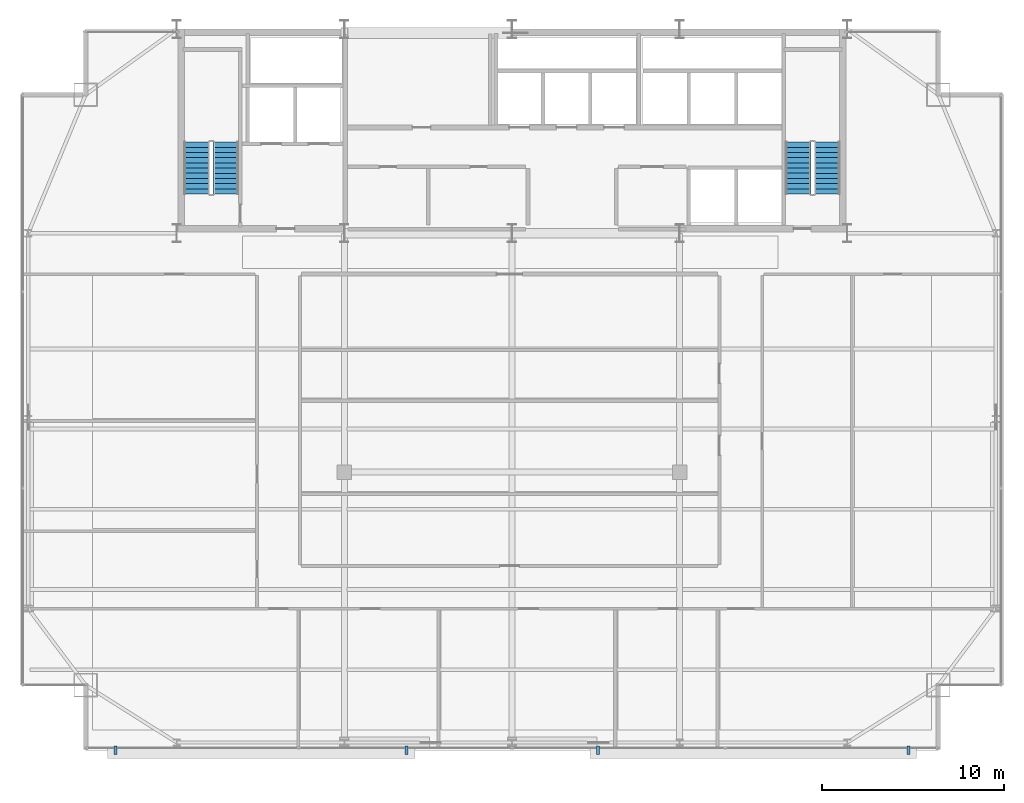
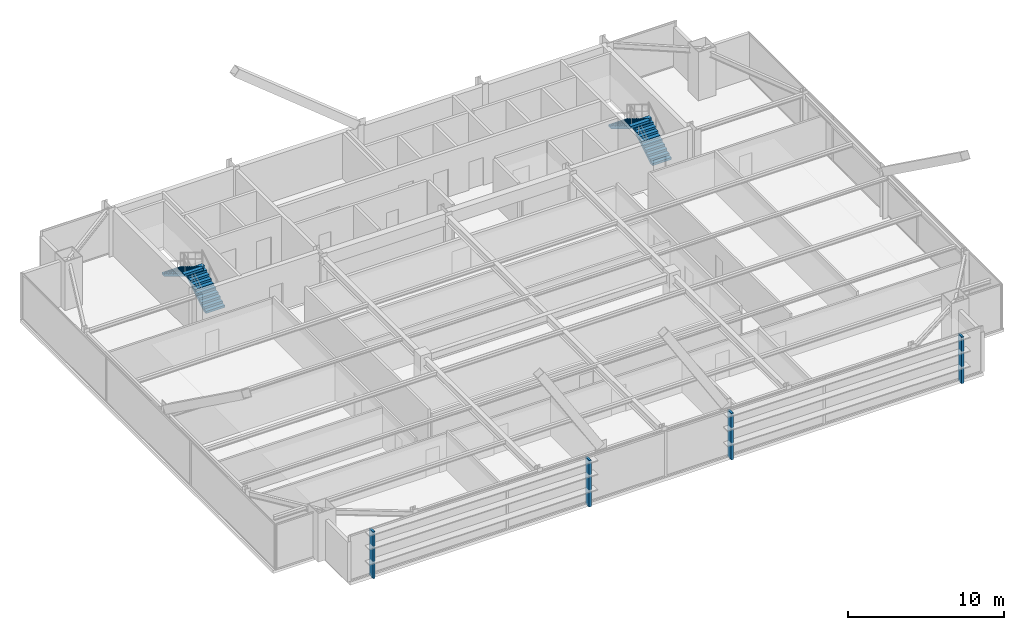
# One storey, part 28 of 30: 4 discrete accessories, 4 stair flights, 2 elements without a shape of their own.
"""IFC4 building model written with IfcOpenShell, lengths in metres."""

import ifcopenshell
import ifcopenshell.guid

model = None  # the IFC model being written
_history = None  # IfcOwnerHistory: only IFC2X3 demands one
_inside = {}  # id of a spatial element -> (the spatial element, [elements in it])
_under = {}  # id of a project, library or spatial element -> (it, [spatial elements below it])
_declared = {}  # id of a project -> (the project, [libraries it declares])
_typed = {}  # id of a type object -> (the type object, [elements of that type])
_made_of = {}  # id of a material, layer set ... -> (it, [elements and type objects made of it])


def new_model(schema):
    """Start an empty IFC model of exactly this schema.

    Asked for "IFC4X3", IfcOpenShell would pick the latest addendum, in which some entities
    have other attributes; the version numbers below select the first issue.
    IFC2X3 requires an IfcOwnerHistory on every rooted entity: one is made here for all.
    """
    global model, _history
    if schema == "IFC4X3":
        model = ifcopenshell.file(schema_version=(4, 3, 0, 0))
    else:
        model = ifcopenshell.file(schema=schema)
    _inside.clear()
    _under.clear()
    _declared.clear()
    _typed.clear()
    _made_of.clear()
    _history = None
    if model.schema == "IFC2X3":
        org = make("IfcOrganization", Name="unknown")
        user = make(
            "IfcPersonAndOrganization",
            ThePerson=make("IfcPerson", FamilyName="unknown"),
            TheOrganization=org,
        )
        app = make(
            "IfcApplication",
            ApplicationDeveloper=org,
            Version="unknown",
            ApplicationFullName="unknown",
            ApplicationIdentifier="unknown",
        )
        _history = make(
            "IfcOwnerHistory",
            OwningUser=user,
            OwningApplication=app,
            ChangeAction="ADDED",
            CreationDate=0,
        )
    return model


def make(cls, **values):
    """One entity of the class cls with the attributes given. An attribute that is None is left unset."""
    return model.create_entity(
        cls, **{name: value for name, value in values.items() if value is not None}
    )


def rooted(cls, **values):
    """An entity with a GlobalId (a new one), such as an element, a storey or a relation."""
    return make(cls, GlobalId=ifcopenshell.guid.new(), OwnerHistory=_history, **values)


def si_unit(unit_type, name, prefix=None):
    """IfcSIUnit, for example si_unit("LENGTHUNIT", "METRE", prefix="MILLI")."""
    return make("IfcSIUnit", UnitType=unit_type, Prefix=prefix, Name=name)


def assignment(units):
    """IfcUnitAssignment: the units of a project."""
    return None if units is None else make("IfcUnitAssignment", Units=units)


def point(xyz):
    """IfcCartesianPoint."""
    return None if xyz is None else make("IfcCartesianPoint", Coordinates=xyz)


def direction(xyz):
    """IfcDirection."""
    return None if xyz is None else make("IfcDirection", DirectionRatios=xyz)


def frame(location, z_axis=None, x_axis=None):
    """IfcAxis2Placement3D, a coordinate frame: its origin and axes. An axis left out is left unset."""
    return make(
        "IfcAxis2Placement3D",
        Location=point(location),
        Axis=direction(z_axis),
        RefDirection=direction(x_axis),
    )


def frame_2d(location, x_axis=None):
    """IfcAxis2Placement2D, a coordinate frame in the plane: its origin and x axis."""
    return make(
        "IfcAxis2Placement2D", Location=point(location), RefDirection=direction(x_axis)
    )


def origin():
    """The frame at (0, 0, 0) with its axes left unset."""
    return frame((0.0, 0.0, 0.0))


def origin_2d():
    """The frame at (0, 0) in the plane with its x axis left unset."""
    return frame_2d((0.0, 0.0))


def place(relative_to, where):
    """IfcLocalPlacement: puts the frame where relative to a parent placement (None: the world)."""
    return make(
        "IfcLocalPlacement", PlacementRelTo=relative_to, RelativePlacement=where
    )


def context(
    kind, dimensions, precision=None, world=None, true_north=None, identifier=None
):
    """IfcGeometricRepresentationContext, for example the 3D "Model" context."""
    return make(
        "IfcGeometricRepresentationContext",
        ContextIdentifier=identifier,
        ContextType=kind,
        CoordinateSpaceDimension=dimensions,
        Precision=precision,
        WorldCoordinateSystem=world,
        TrueNorth=true_north,
    )


def subcontext(parent, identifier, kind, view, scale=None):
    """IfcGeometricRepresentationSubContext, for example "Body" below "Model"."""
    return make(
        "IfcGeometricRepresentationSubContext",
        ContextIdentifier=identifier,
        ContextType=kind,
        ParentContext=parent,
        TargetScale=scale,
        TargetView=view,
    )


def project(units=None, contexts=None):
    """IfcProject with its units and contexts."""
    return rooted(
        "IfcProject",
        Name="project",
        RepresentationContexts=contexts,
        UnitsInContext=assignment(units),
    )


def spatial(cls, under=None, at=None, **own):
    """A site, building, storey or space (cls), placed at a placement, below another one or the project."""
    s = rooted(cls, ObjectPlacement=at, **own)
    if under is not None:
        _under.setdefault(under.id(), (under, []))[1].append(s)
    return s


def polyline(points):
    """IfcPolyline through the points."""
    return make("IfcPolyline", Points=[point(p) for p in points])


def profile(cls, at=None, kind="AREA", **sizes):
    """A parametric profile (cls). Its sizes go by their IFC names, for example OverallWidth=200.0."""
    return make(cls, ProfileType=kind, Position=at, **sizes)


def rectangle(**sizes):
    """IfcRectangleProfileDef."""
    return profile("IfcRectangleProfileDef", **sizes)


def outline(outer, holes=None, kind="AREA"):
    """IfcArbitraryClosedProfileDef: a profile drawn as a closed curve; with holes, ...WithVoids."""
    if holes is None:
        return make("IfcArbitraryClosedProfileDef", ProfileType=kind, OuterCurve=outer)
    return make(
        "IfcArbitraryProfileDefWithVoids",
        ProfileType=kind,
        OuterCurve=outer,
        InnerCurves=holes,
    )


def extrude(swept, where, along, depth):
    """IfcExtrudedAreaSolid: the profile swept, set in the frame where, extruded along a direction by depth."""
    return make(
        "IfcExtrudedAreaSolid",
        SweptArea=swept,
        Position=where,
        ExtrudedDirection=direction(along),
        Depth=depth,
    )


def shape(context_of_items, identifier, shape_type, items):
    """IfcShapeRepresentation: the items that make up one representation, for example the "Body"."""
    return make(
        "IfcShapeRepresentation",
        ContextOfItems=context_of_items,
        RepresentationIdentifier=identifier,
        RepresentationType=shape_type,
        Items=items,
    )


def source(mapping_origin, context_of_items, identifier, shape_type, items):
    """IfcRepresentationMap: a shape defined once, which mapped items show again and again."""
    return make(
        "IfcRepresentationMap",
        MappingOrigin=mapping_origin,
        MappedRepresentation=shape(context_of_items, identifier, shape_type, items),
    )


def transform(
    local_origin,
    x_axis=None,
    y_axis=None,
    z_axis=None,
    scale=None,
    scale2=None,
    scale3=None,
    uniform=True,
):
    """IfcCartesianTransformationOperator3D, or its non-uniform kind. x_axis, y_axis, z_axis: its Axis1, 2, 3."""
    if uniform:
        return make(
            "IfcCartesianTransformationOperator3D",
            Axis1=direction(x_axis),
            Axis2=direction(y_axis),
            LocalOrigin=point(local_origin),
            Scale=scale,
            Axis3=direction(z_axis),
        )
    return make(
        "IfcCartesianTransformationOperator3DnonUniform",
        Axis1=direction(x_axis),
        Axis2=direction(y_axis),
        LocalOrigin=point(local_origin),
        Scale=scale,
        Axis3=direction(z_axis),
        Scale2=scale2,
        Scale3=scale3,
    )


def mapped(mapping_source, mapping_target):
    """IfcMappedItem: shows the shape of a source again, moved by a transform."""
    return make(
        "IfcMappedItem", MappingSource=mapping_source, MappingTarget=mapping_target
    )


def material(Name=None, Category=None):
    """IfcMaterial."""
    return make("IfcMaterial", Name=Name, Category=Category)


def layer(
    of_material, thickness, ventilated=None, Name=None, Category=None, Priority=None
):
    """IfcMaterialLayer: one layer of a wall or slab, of a material (None: an air gap)."""
    return make(
        "IfcMaterialLayer",
        Material=of_material,
        LayerThickness=thickness,
        IsVentilated=ventilated,
        Name=Name,
        Category=Category,
        Priority=Priority,
    )


def layer_set(layers, Name=None):
    """IfcMaterialLayerSet."""
    return make("IfcMaterialLayerSet", MaterialLayers=layers, LayerSetName=Name)


def made_of(thing, what):
    """Note that an element or type object is made of a material, layer set ...; save() writes the relation."""
    if what is not None:
        _made_of.setdefault(what.id(), (what, []))[1].append(thing)
    return thing


def type_object(cls, material=None, **own):
    """A type object (cls), such as IfcWallType, which elements share."""
    return made_of(rooted(cls, **own), material)


def type_shapes(of_type, sources):
    """Give a type object the sources (RepresentationMaps) that its elements show as mapped items."""
    of_type.RepresentationMaps = sources


def element(
    cls,
    number,
    at=None,
    inside=None,
    cuts=None,
    type_object=None,
    material=None,
    context=None,
    identifier="Body",
    shape_type=None,
    held_by="IfcProductDefinitionShape",
    body=None,
    shapes=None,
    **own,
):
    """One element of the class cls, such as IfcWall. Its Tag is "e" and its number.

    at: its placement. inside: the storey or other place that contains it. cuts: it is an
    opening in that element (IfcRelVoidsElement). A single representation is given by context,
    identifier, shape_type and body (its items); several are given by shapes. held_by: the class
    of the entity that holds the representations. save() writes the other relations.
    """
    e = rooted(cls, Tag="e%d" % number, ObjectPlacement=at, **own)
    if body is not None:
        shapes = [shape(context, identifier, shape_type, body)]
    if shapes is not None:
        e.Representation = make(held_by, Representations=shapes)
    if inside is not None:
        _inside.setdefault(inside.id(), (inside, []))[1].append(e)
    if cuts is not None:
        rooted(
            "IfcRelVoidsElement", RelatingBuildingElement=cuts, RelatedOpeningElement=e
        )
    if type_object is not None:
        _typed.setdefault(type_object.id(), (type_object, []))[1].append(e)
    return made_of(e, material)


def aggregate(whole, parts):
    """IfcRelAggregates: a whole, such as a stair, and the parts it consists of."""
    return rooted("IfcRelAggregates", RelatingObject=whole, RelatedObjects=parts)


def save(model, path):
    """Write the relations noted so far, then the file.

    IfcRelAggregates (storeys below a building ...), IfcRelContainedInSpatialStructure (elements
    in a storey), IfcRelDefinesByType, IfcRelAssociatesMaterial and IfcRelDeclares: one each for
    every whole, place, type object, material and project.
    """
    for whole, parts in _under.values():
        aggregate(whole, parts)
    for where, things in _inside.values():
        rooted(
            "IfcRelContainedInSpatialStructure",
            RelatedElements=things,
            RelatingStructure=where,
        )
    for kind, things in _typed.values():
        rooted("IfcRelDefinesByType", RelatedObjects=things, RelatingType=kind)
    for what, things in _made_of.values():
        rooted("IfcRelAssociatesMaterial", RelatedObjects=things, RelatingMaterial=what)
    for by, libraries in _declared.values():
        rooted("IfcRelDeclares", RelatingContext=by, RelatedDefinitions=libraries)
    model.write(path)


model = new_model("IFC4")

# Units and contexts
model_context = context("Model", 3, precision=1e-05, world=origin(), true_north=direction((0.0, 1.0)))
body_context = subcontext(model_context, "Body", "Model", "MODEL_VIEW")
ifc_project = project(units=[si_unit("LENGTHUNIT", "METRE"), si_unit("AREAUNIT", "SQUARE_METRE"), si_unit("VOLUMEUNIT", "CUBIC_METRE"), si_unit("PLANEANGLEUNIT", "RADIAN"), si_unit("MASSUNIT", "GRAM", prefix="KILO")], contexts=[model_context])

# Site, building, storey
site_placement = place(None, origin())
site = spatial("IfcSite", under=ifc_project, at=site_placement, CompositionType="ELEMENT")
building_placement = place(site_placement, origin())
building = spatial("IfcBuilding", under=site, at=building_placement, Name="Varnel Quay Broadcast Tower", CompositionType="ELEMENT")
storey_placement = place(building_placement, frame((0.0, 0.0, 180.0)))
storey = spatial("IfcBuildingStorey", under=building, at=storey_placement, Name="L44", CompositionType="ELEMENT", Elevation=180.0)

# Stair, stair flights
ifc_material_1 = material(Name="Precast Structural Concrete C40/50", Category="concrete")
stair_type_1 = type_object("IfcStairType", Name="Stair_ST-01", PredefinedType="HALF_TURN_STAIR", material=ifc_material_1)
stair_1_placement = place(storey_placement, origin())
stair_1 = element("IfcStair", 1, at=stair_1_placement, inside=storey, type_object=stair_type_1, Name="L44 West Core Exit Stair 1", PredefinedType="HALF_TURN_STAIR")
stair_flight_type_1 = type_object("IfcStairFlightType", Name="Flight_ST-01", PredefinedType="STRAIGHT", material=ifc_material_1)
stair_flight_1_placement = place(storey_placement, frame((18.300048828125, 37.75, 0.0), z_axis=(0.0, 0.0, 1.0), x_axis=(0.0, 1.0, 0.0)))
stair_flight_1 = element("IfcStairFlight", 2, at=stair_flight_1_placement, type_object=stair_flight_type_1, Name="ST-01 flight 1", NumberOfRisers=11, NumberOfTreads=10, PredefinedType="STRAIGHT", RiserHeight=0.172727273, TreadLength=0.285, context=body_context, shape_type="SweptSolid", body=[
    extrude(outline(polyline([(0.0, 0.0), (0.0, 0.172607421875), (0.284912109375, 0.172607421875), (0.284912109375, 0.345458984375), (0.570068359375, 0.345458984375), (0.570068359375, 0.51806640625), (0.85498046875, 0.51806640625), (0.85498046875, 0.69091796875), (1.139892578125, 0.69091796875), (1.139892578125, 0.863525390625), (1.425048828125, 0.863525390625), (1.425048828125, 1.036376953125), (1.7099609375, 1.036376953125), (1.7099609375, 1.208984375), (1.9951171875, 1.208984375), (1.9951171875, 1.3818359375), (2.280029296875, 1.3818359375), (2.280029296875, 1.554443359375), (2.56494140625, 1.554443359375), (2.56494140625, 1.727294921875), (2.85009765625, 1.727294921875), (2.85009765625, 1.89990234375), (2.85009765625, 1.552001953125), (0.289306640625, 0.0), (0.0, 0.0)])), frame((0.0, 0.699951171875, 0.0), z_axis=(0.0, -1.0, 0.0), x_axis=(1.0, 0.0, 0.0)), (0.0, 0.0, 1.0), 1.39990234375),
])
stair_flight_2_placement = place(storey_placement, frame((16.699951171875, 40.60009765625, 1.89990234375), z_axis=(0.0, 0.0, 1.0), x_axis=(0.0, -1.0, 0.0)))
stair_flight_2 = element("IfcStairFlight", 3, at=stair_flight_2_placement, type_object=stair_flight_type_1, Name="ST-01 flight 2", NumberOfRisers=11, NumberOfTreads=10, PredefinedType="STRAIGHT", RiserHeight=0.172727273, TreadLength=0.285, context=body_context, shape_type="SweptSolid", body=[
    extrude(outline(polyline([(0.0, 0.0), (0.0, 0.172607421875), (0.284912109375, 0.172607421875), (0.284912109375, 0.345458984375), (0.570068359375, 0.345458984375), (0.570068359375, 0.51806640625), (0.85498046875, 0.51806640625), (0.85498046875, 0.69091796875), (1.139892578125, 0.69091796875), (1.139892578125, 0.863525390625), (1.425048828125, 0.863525390625), (1.425048828125, 1.036376953125), (1.7099609375, 1.036376953125), (1.7099609375, 1.208984375), (1.9951171875, 1.208984375), (1.9951171875, 1.3818359375), (2.280029296875, 1.3818359375), (2.280029296875, 1.554443359375), (2.56494140625, 1.554443359375), (2.56494140625, 1.727294921875), (2.85009765625, 1.727294921875), (2.85009765625, 1.89990234375), (2.85009765625, 1.552001953125), (0.289306640625, 0.0), (0.0, 0.0)])), frame((0.0, 0.699951171875, 0.0), z_axis=(0.0, -1.0, 0.0), x_axis=(1.0, 0.0, 0.0)), (0.0, 0.0, 1.0), 1.39990234375),
])
aggregate(stair_1, [stair_flight_1, stair_flight_2])

stair_type_2 = type_object("IfcStairType", Name="Stair_ST-02", PredefinedType="HALF_TURN_STAIR", material=ifc_material_1)
stair_2_placement = place(storey_placement, origin())
stair_2 = element("IfcStair", 4, at=stair_2_placement, inside=storey, type_object=stair_type_2, Name="L44 East Core Exit Stair 2", PredefinedType="HALF_TURN_STAIR")
stair_flight_type_2 = type_object("IfcStairFlightType", Name="Flight_ST-02", PredefinedType="STRAIGHT", material=ifc_material_1)
stair_flight_3_placement = place(storey_placement, frame((51.300048828125, 37.75, 0.0), z_axis=(0.0, 0.0, 1.0), x_axis=(0.0, 1.0, 0.0)))
stair_flight_3 = element("IfcStairFlight", 5, at=stair_flight_3_placement, type_object=stair_flight_type_2, Name="ST-02 flight 1", NumberOfRisers=11, NumberOfTreads=10, PredefinedType="STRAIGHT", RiserHeight=0.172727273, TreadLength=0.285, context=body_context, shape_type="SweptSolid", body=[
    extrude(outline(polyline([(0.0, 0.0), (0.0, 0.172607421875), (0.284912109375, 0.172607421875), (0.284912109375, 0.345458984375), (0.570068359375, 0.345458984375), (0.570068359375, 0.51806640625), (0.85498046875, 0.51806640625), (0.85498046875, 0.69091796875), (1.139892578125, 0.69091796875), (1.139892578125, 0.863525390625), (1.425048828125, 0.863525390625), (1.425048828125, 1.036376953125), (1.7099609375, 1.036376953125), (1.7099609375, 1.208984375), (1.9951171875, 1.208984375), (1.9951171875, 1.3818359375), (2.280029296875, 1.3818359375), (2.280029296875, 1.554443359375), (2.56494140625, 1.554443359375), (2.56494140625, 1.727294921875), (2.85009765625, 1.727294921875), (2.85009765625, 1.89990234375), (2.85009765625, 1.552001953125), (0.289306640625, 0.0), (0.0, 0.0)])), frame((0.0, 0.699951171875, 0.0), z_axis=(0.0, -1.0, 0.0), x_axis=(1.0, 0.0, 0.0)), (0.0, 0.0, 1.0), 1.39990234375),
])
stair_flight_4_placement = place(storey_placement, frame((49.699951171875, 40.60009765625, 1.89990234375), z_axis=(0.0, 0.0, 1.0), x_axis=(0.0, -1.0, 0.0)))
stair_flight_4 = element("IfcStairFlight", 6, at=stair_flight_4_placement, type_object=stair_flight_type_2, Name="ST-02 flight 2", NumberOfRisers=11, NumberOfTreads=10, PredefinedType="STRAIGHT", RiserHeight=0.172727273, TreadLength=0.285, context=body_context, shape_type="SweptSolid", body=[
    extrude(outline(polyline([(0.0, 0.0), (0.0, 0.172607421875), (0.284912109375, 0.172607421875), (0.284912109375, 0.345458984375), (0.570068359375, 0.345458984375), (0.570068359375, 0.51806640625), (0.85498046875, 0.51806640625), (0.85498046875, 0.69091796875), (1.139892578125, 0.69091796875), (1.139892578125, 0.863525390625), (1.425048828125, 0.863525390625), (1.425048828125, 1.036376953125), (1.7099609375, 1.036376953125), (1.7099609375, 1.208984375), (1.9951171875, 1.208984375), (1.9951171875, 1.3818359375), (2.280029296875, 1.3818359375), (2.280029296875, 1.554443359375), (2.56494140625, 1.554443359375), (2.56494140625, 1.727294921875), (2.85009765625, 1.727294921875), (2.85009765625, 1.89990234375), (2.85009765625, 1.552001953125), (0.289306640625, 0.0), (0.0, 0.0)])), frame((0.0, 0.699951171875, 0.0), z_axis=(0.0, -1.0, 0.0), x_axis=(1.0, 0.0, 0.0)), (0.0, 0.0, 1.0), 1.39990234375),
])
aggregate(stair_2, [stair_flight_3, stair_flight_4])

# Discrete accessories
ifc_material_2 = material(Name="Anodised Bronze Aluminium 6063-T6", Category="aluminium")
ifc_layer = layer(ifc_material_2, 0.47998046875, Name="Anodised Bronze Aluminium 6063-T6")
ifc_layer_set = layer_set([ifc_layer], Name="Anodised Bronze Aluminium 6063-T6")
discrete_accessory_type = type_object("IfcDiscreteAccessoryType", Name="Acc_FacadeBracket", PredefinedType="BRACKET", material=ifc_layer_set)
shared_shape = source(origin(), body_context, "Body", "SweptSolid", [
    extrude(rectangle(XDim=0.159912109375, YDim=0.47998046875, at=origin_2d()), origin(), (0.0, 0.0, 1.0), 3.64990234375),
])
type_shapes(discrete_accessory_type, [shared_shape])
for number, where, z_axis, x_axis, name in (
    (7, (12.25, 7.219970703125, -0.14990234375), (0.0, 0.0, 1.0), (1.0, 0.0, 0.0), "L44 Lobe 1 Louvre Support Bracket 1"),
    (8, (28.220947265625, 7.219970703125, -0.14990234375), (0.0, 0.0, 1.0), (1.0, 0.0, 0.0), "L44 Lobe 1 Louvre Support Bracket 2"),
    (9, (38.720947265625, 7.219970703125, -0.14990234375), (0.0, 0.0, 1.0), (1.0, 0.0, 0.0), "L44 Lobe 2 Louvre Support Bracket 1"),
    (10, (55.75, 7.219970703125, -0.14990234375), (0.0, 0.0, 1.0), (1.0, 0.0, 0.0), "L44 Lobe 2 Louvre Support Bracket 2"),
):
    element("IfcDiscreteAccessory", number, at=place(storey_placement, frame(where, z_axis=z_axis, x_axis=x_axis)), inside=storey, type_object=discrete_accessory_type, Name=name, PredefinedType="BRACKET", context=body_context, shape_type="MappedRepresentation", body=[
        mapped(shared_shape, transform((0.0, 0.0, 0.0), x_axis=(1.0, 0.0, 0.0), y_axis=(0.0, 1.0, 0.0), z_axis=(0.0, 0.0, 1.0), scale=1.0)),
    ])

save(model, "model.ifc")
